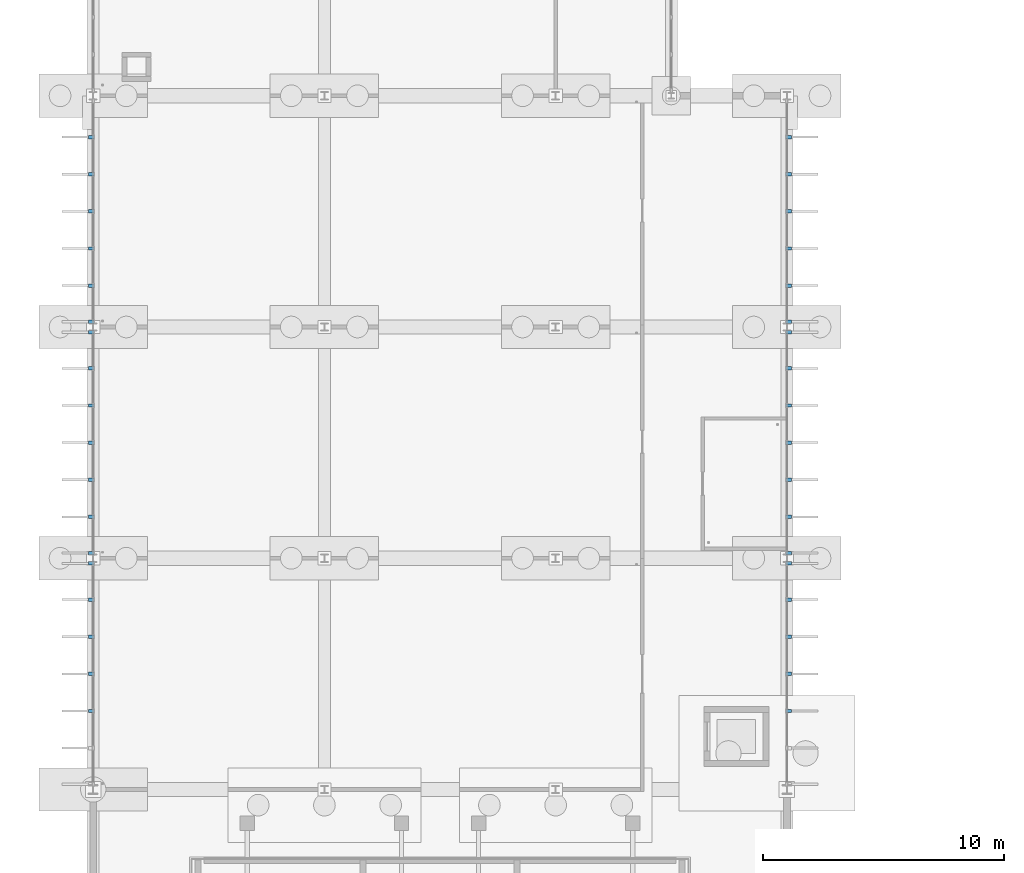
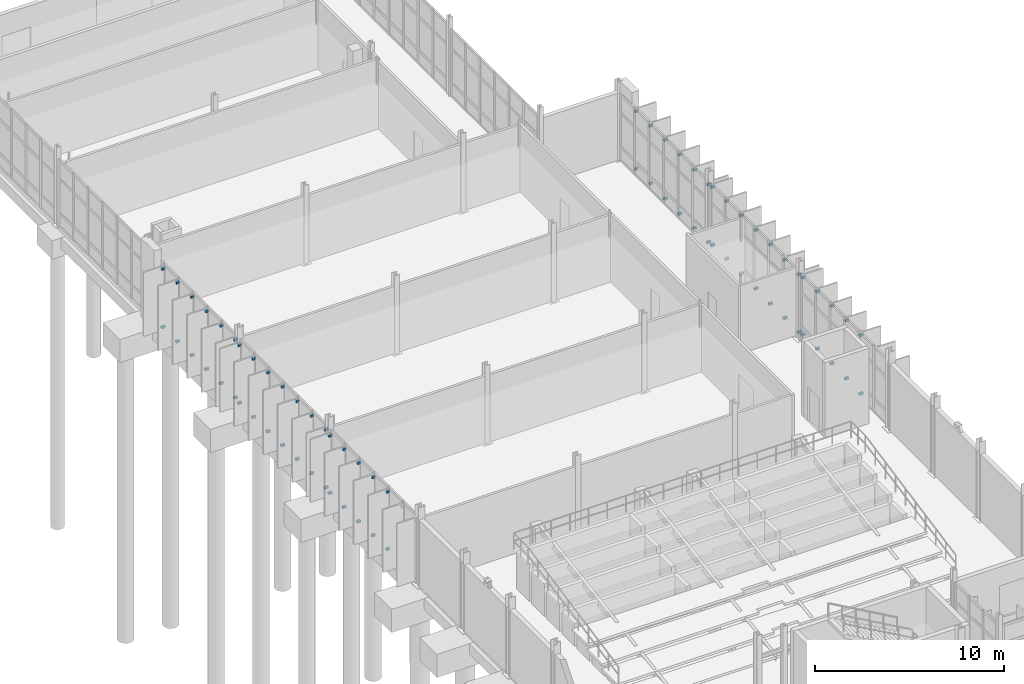
# One storey, part 100 of 111: 72 discrete accessories.
"""IFC4 building model written with IfcOpenShell, lengths in metres."""

from ifc_helpers import new_model, si_unit, direction, frame, origin, origin_2d, place, context, subcontext, project, spatial, rectangle, extrude, material, type_object, element, save


model = new_model("IFC4")

# Units and contexts
model_context = context("Model", 3, precision=1e-05, world=origin(), true_north=direction((0.0, 1.0)))
body_context = subcontext(model_context, "Body", "Model", "MODEL_VIEW")
ifc_project = project(units=[si_unit("LENGTHUNIT", "METRE"), si_unit("AREAUNIT", "SQUARE_METRE"), si_unit("VOLUMEUNIT", "CUBIC_METRE"), si_unit("PLANEANGLEUNIT", "RADIAN"), si_unit("MASSUNIT", "GRAM", prefix="KILO")], contexts=[model_context])

# Site, building, storey
site_placement = place(None, origin())
site = spatial("IfcSite", under=ifc_project, at=site_placement, CompositionType="ELEMENT")
building_placement = place(site_placement, origin())
building = spatial("IfcBuilding", under=site, at=building_placement, Name="Dunescarp Central Library", CompositionType="ELEMENT")
storey_placement = place(building_placement, origin())
storey = spatial("IfcBuildingStorey", under=building, at=storey_placement, Name="L00", CompositionType="ELEMENT", Elevation=0.0)

# Discrete accessories
ifc_material = material(Name="Stainless steel Grade 316L", Category="steel")
discrete_accessory_type = type_object("IfcDiscreteAccessoryType", Name="ARC-ACC-BRK", PredefinedType="BRACKET", material=ifc_material)
for number, where, z_axis, x_axis, name in (
    (1, (-0.080078125, 64.05810546875, 0.27392578125), (0.0, 0.0, 1.0), (-1.0, 0.0, 0.0), "Fin bracket BRK-FIN-L00-0745-B"),
    (2, (-0.080078125, 64.05810546875, 3.9921875), (0.0, 0.0, 1.0), (-1.0, 0.0, 0.0), "Fin bracket BRK-FIN-L00-0745-T"),
    (3, (-0.080078125, 65.60009765625, 0.23291015625), (0.0, 0.0, 1.0), (-1.0, 0.0, 0.0), "Fin bracket BRK-FIN-L00-0746-B"),
    (4, (-0.080078125, 65.60009765625, 3.9921875), (0.0, 0.0, 1.0), (-1.0, 0.0, 0.0), "Fin bracket BRK-FIN-L00-0746-T"),
    (5, (-0.080078125, 67.14208984375, 0.18994140625), (0.0, 0.0, 1.0), (-1.0, 0.0, 0.0), "Fin bracket BRK-FIN-L00-0747-B"),
    (6, (-0.080078125, 67.14208984375, 3.98095703125), (0.0, 0.0, 1.0), (-1.0, 0.0, 0.0), "Fin bracket BRK-FIN-L00-0747-T"),
    (7, (-0.080078125, 68.68310546875, 0.18994140625), (0.0, 0.0, 1.0), (-1.0, 0.0, 0.0), "Fin bracket BRK-FIN-L00-0748-B"),
    (8, (-0.080078125, 68.68310546875, 3.93115234375), (0.0, 0.0, 1.0), (-1.0, 0.0, 0.0), "Fin bracket BRK-FIN-L00-0748-T"),
    (9, (-0.080078125, 70.18505859375, 0.18994140625), (0.0, 0.0, 1.0), (-1.0, 0.0, 0.0), "Fin bracket BRK-FIN-L00-0749-B"),
    (10, (-0.080078125, 70.18505859375, 3.89794921875), (0.0, 0.0, 1.0), (-1.0, 0.0, 0.0), "Fin bracket BRK-FIN-L00-0749-T"),
    (11, (28.8798828125, 70.18505859375, 0.27685546875), (0.0, 0.0, 1.0), (1.0, 0.0, 0.0), "Fin bracket BRK-FIN-L00-0750-B"),
    (12, (28.8798828125, 70.18505859375, 3.9921875), (0.0, 0.0, 1.0), (1.0, 0.0, 0.0), "Fin bracket BRK-FIN-L00-0750-T"),
    (13, (28.8798828125, 68.68310546875, 0.2900390625), (0.0, 0.0, 1.0), (1.0, 0.0, 0.0), "Fin bracket BRK-FIN-L00-0751-B"),
    (14, (28.8798828125, 68.68310546875, 3.9921875), (0.0, 0.0, 1.0), (1.0, 0.0, 0.0), "Fin bracket BRK-FIN-L00-0751-T"),
    (15, (28.8798828125, 67.14208984375, 0.27392578125), (0.0, 0.0, 1.0), (1.0, 0.0, 0.0), "Fin bracket BRK-FIN-L00-0752-B"),
    (16, (28.8798828125, 67.14208984375, 3.9921875), (0.0, 0.0, 1.0), (1.0, 0.0, 0.0), "Fin bracket BRK-FIN-L00-0752-T"),
    (17, (28.8798828125, 65.60009765625, 0.23291015625), (0.0, 0.0, 1.0), (1.0, 0.0, 0.0), "Fin bracket BRK-FIN-L00-0753-B"),
    (18, (28.8798828125, 65.60009765625, 3.9921875), (0.0, 0.0, 1.0), (1.0, 0.0, 0.0), "Fin bracket BRK-FIN-L00-0753-T"),
    (19, (28.8798828125, 64.05810546875, 0.18994140625), (0.0, 0.0, 1.0), (1.0, 0.0, 0.0), "Fin bracket BRK-FIN-L00-0754-B"),
    (20, (28.8798828125, 64.05810546875, 3.98095703125), (0.0, 0.0, 1.0), (1.0, 0.0, 0.0), "Fin bracket BRK-FIN-L00-0754-T"),
    (21, (-0.080078125, 70.614990234375, 0.27685546875), (0.0, 0.0, 1.0), (-1.0, 0.0, 0.0), "Fin bracket BRK-FIN-L00-0757-B"),
    (22, (-0.080078125, 70.614990234375, 4.02490234375), (0.0, 0.0, 1.0), (-1.0, 0.0, 0.0), "Fin bracket BRK-FIN-L00-0757-T"),
    (23, (-0.080078125, 72.116943359375, 0.2900390625), (0.0, 0.0, 1.0), (-1.0, 0.0, 0.0), "Fin bracket BRK-FIN-L00-0758-B"),
    (24, (-0.080078125, 72.116943359375, 4.02490234375), (0.0, 0.0, 1.0), (-1.0, 0.0, 0.0), "Fin bracket BRK-FIN-L00-0758-T"),
    (25, (-0.080078125, 73.657958984375, 0.27392578125), (0.0, 0.0, 1.0), (-1.0, 0.0, 0.0), "Fin bracket BRK-FIN-L00-0759-B"),
    (26, (-0.080078125, 73.657958984375, 4.02490234375), (0.0, 0.0, 1.0), (-1.0, 0.0, 0.0), "Fin bracket BRK-FIN-L00-0759-T"),
    (27, (-0.080078125, 75.199951171875, 0.23291015625), (0.0, 0.0, 1.0), (-1.0, 0.0, 0.0), "Fin bracket BRK-FIN-L00-0760-B"),
    (28, (-0.080078125, 75.199951171875, 4.02490234375), (0.0, 0.0, 1.0), (-1.0, 0.0, 0.0), "Fin bracket BRK-FIN-L00-0760-T"),
    (29, (-0.080078125, 76.741943359375, 0.18994140625), (0.0, 0.0, 1.0), (-1.0, 0.0, 0.0), "Fin bracket BRK-FIN-L00-0761-B"),
    (30, (-0.080078125, 76.741943359375, 4.01416015625), (0.0, 0.0, 1.0), (-1.0, 0.0, 0.0), "Fin bracket BRK-FIN-L00-0761-T"),
    (31, (-0.080078125, 78.282958984375, 0.18994140625), (0.0, 0.0, 1.0), (-1.0, 0.0, 0.0), "Fin bracket BRK-FIN-L00-0762-B"),
    (32, (-0.080078125, 78.282958984375, 3.9638671875), (0.0, 0.0, 1.0), (-1.0, 0.0, 0.0), "Fin bracket BRK-FIN-L00-0762-T"),
    (33, (-0.080078125, 79.784912109375, 0.18994140625), (0.0, 0.0, 1.0), (-1.0, 0.0, 0.0), "Fin bracket BRK-FIN-L00-0763-B"),
    (34, (-0.080078125, 79.784912109375, 3.93115234375), (0.0, 0.0, 1.0), (-1.0, 0.0, 0.0), "Fin bracket BRK-FIN-L00-0763-T"),
    (35, (28.8798828125, 79.784912109375, 0.27685546875), (0.0, 0.0, 1.0), (1.0, 0.0, 0.0), "Fin bracket BRK-FIN-L00-0764-B"),
    (36, (28.8798828125, 79.784912109375, 4.02490234375), (0.0, 0.0, 1.0), (1.0, 0.0, 0.0), "Fin bracket BRK-FIN-L00-0764-T"),
    (37, (28.8798828125, 78.282958984375, 0.2900390625), (0.0, 0.0, 1.0), (1.0, 0.0, 0.0), "Fin bracket BRK-FIN-L00-0765-B"),
    (38, (28.8798828125, 78.282958984375, 4.02490234375), (0.0, 0.0, 1.0), (1.0, 0.0, 0.0), "Fin bracket BRK-FIN-L00-0765-T"),
    (39, (28.8798828125, 76.741943359375, 0.27392578125), (0.0, 0.0, 1.0), (1.0, 0.0, 0.0), "Fin bracket BRK-FIN-L00-0766-B"),
    (40, (28.8798828125, 76.741943359375, 4.02490234375), (0.0, 0.0, 1.0), (1.0, 0.0, 0.0), "Fin bracket BRK-FIN-L00-0766-T"),
    (41, (28.8798828125, 75.199951171875, 0.23291015625), (0.0, 0.0, 1.0), (1.0, 0.0, 0.0), "Fin bracket BRK-FIN-L00-0767-B"),
    (42, (28.8798828125, 75.199951171875, 4.02490234375), (0.0, 0.0, 1.0), (1.0, 0.0, 0.0), "Fin bracket BRK-FIN-L00-0767-T"),
    (43, (28.8798828125, 73.657958984375, 0.18994140625), (0.0, 0.0, 1.0), (1.0, 0.0, 0.0), "Fin bracket BRK-FIN-L00-0768-B"),
    (44, (28.8798828125, 73.657958984375, 4.01416015625), (0.0, 0.0, 1.0), (1.0, 0.0, 0.0), "Fin bracket BRK-FIN-L00-0768-T"),
    (45, (28.8798828125, 72.116943359375, 0.18994140625), (0.0, 0.0, 1.0), (1.0, 0.0, 0.0), "Fin bracket BRK-FIN-L00-0769-B"),
    (46, (28.8798828125, 72.116943359375, 3.9638671875), (0.0, 0.0, 1.0), (1.0, 0.0, 0.0), "Fin bracket BRK-FIN-L00-0769-T"),
    (47, (28.8798828125, 70.614990234375, 0.18994140625), (0.0, 0.0, 1.0), (1.0, 0.0, 0.0), "Fin bracket BRK-FIN-L00-0770-B"),
    (48, (28.8798828125, 70.614990234375, 3.93115234375), (0.0, 0.0, 1.0), (1.0, 0.0, 0.0), "Fin bracket BRK-FIN-L00-0770-T"),
    (49, (-0.080078125, 80.215087890625, 0.27685546875), (0.0, 0.0, 1.0), (-1.0, 0.0, 0.0), "Fin bracket BRK-FIN-L00-0771-B"),
    (50, (-0.080078125, 80.215087890625, 4.02490234375), (0.0, 0.0, 1.0), (-1.0, 0.0, 0.0), "Fin bracket BRK-FIN-L00-0771-T"),
    (51, (-0.080078125, 81.717041015625, 0.2900390625), (0.0, 0.0, 1.0), (-1.0, 0.0, 0.0), "Fin bracket BRK-FIN-L00-0772-B"),
    (52, (-0.080078125, 81.717041015625, 4.02490234375), (0.0, 0.0, 1.0), (-1.0, 0.0, 0.0), "Fin bracket BRK-FIN-L00-0772-T"),
    (53, (-0.080078125, 83.258056640625, 0.27392578125), (0.0, 0.0, 1.0), (-1.0, 0.0, 0.0), "Fin bracket BRK-FIN-L00-0773-B"),
    (54, (-0.080078125, 83.258056640625, 4.02490234375), (0.0, 0.0, 1.0), (-1.0, 0.0, 0.0), "Fin bracket BRK-FIN-L00-0773-T"),
    (55, (-0.080078125, 84.800048828125, 0.23291015625), (0.0, 0.0, 1.0), (-1.0, 0.0, 0.0), "Fin bracket BRK-FIN-L00-0774-B"),
    (56, (-0.080078125, 84.800048828125, 4.02490234375), (0.0, 0.0, 1.0), (-1.0, 0.0, 0.0), "Fin bracket BRK-FIN-L00-0774-T"),
    (57, (-0.080078125, 86.342041015625, 0.18994140625), (0.0, 0.0, 1.0), (-1.0, 0.0, 0.0), "Fin bracket BRK-FIN-L00-0775-B"),
    (58, (-0.080078125, 86.342041015625, 4.01416015625), (0.0, 0.0, 1.0), (-1.0, 0.0, 0.0), "Fin bracket BRK-FIN-L00-0775-T"),
    (59, (-0.080078125, 87.883056640625, 0.18994140625), (0.0, 0.0, 1.0), (-1.0, 0.0, 0.0), "Fin bracket BRK-FIN-L00-0776-B"),
    (60, (-0.080078125, 87.883056640625, 3.9638671875), (0.0, 0.0, 1.0), (-1.0, 0.0, 0.0), "Fin bracket BRK-FIN-L00-0776-T"),
    (61, (28.8798828125, 87.883056640625, 0.2900390625), (0.0, 0.0, 1.0), (1.0, 0.0, 0.0), "Fin bracket BRK-FIN-L00-0777-B"),
    (62, (28.8798828125, 87.883056640625, 4.02490234375), (0.0, 0.0, 1.0), (1.0, 0.0, 0.0), "Fin bracket BRK-FIN-L00-0777-T"),
    (63, (28.8798828125, 86.342041015625, 0.27392578125), (0.0, 0.0, 1.0), (1.0, 0.0, 0.0), "Fin bracket BRK-FIN-L00-0778-B"),
    (64, (28.8798828125, 86.342041015625, 4.02490234375), (0.0, 0.0, 1.0), (1.0, 0.0, 0.0), "Fin bracket BRK-FIN-L00-0778-T"),
    (65, (28.8798828125, 84.800048828125, 0.23291015625), (0.0, 0.0, 1.0), (1.0, 0.0, 0.0), "Fin bracket BRK-FIN-L00-0779-B"),
    (66, (28.8798828125, 84.800048828125, 4.02490234375), (0.0, 0.0, 1.0), (1.0, 0.0, 0.0), "Fin bracket BRK-FIN-L00-0779-T"),
    (67, (28.8798828125, 83.258056640625, 0.18994140625), (0.0, 0.0, 1.0), (1.0, 0.0, 0.0), "Fin bracket BRK-FIN-L00-0780-B"),
    (68, (28.8798828125, 83.258056640625, 4.01416015625), (0.0, 0.0, 1.0), (1.0, 0.0, 0.0), "Fin bracket BRK-FIN-L00-0780-T"),
    (69, (28.8798828125, 81.717041015625, 0.18994140625), (0.0, 0.0, 1.0), (1.0, 0.0, 0.0), "Fin bracket BRK-FIN-L00-0781-B"),
    (70, (28.8798828125, 81.717041015625, 3.9638671875), (0.0, 0.0, 1.0), (1.0, 0.0, 0.0), "Fin bracket BRK-FIN-L00-0781-T"),
    (71, (28.8798828125, 80.215087890625, 0.18994140625), (0.0, 0.0, 1.0), (1.0, 0.0, 0.0), "Fin bracket BRK-FIN-L00-0782-B"),
    (72, (28.8798828125, 80.215087890625, 3.93115234375), (0.0, 0.0, 1.0), (1.0, 0.0, 0.0), "Fin bracket BRK-FIN-L00-0782-T"),
):
    element("IfcDiscreteAccessory", number, at=place(storey_placement, frame(where, z_axis=z_axis, x_axis=x_axis)), inside=storey, type_object=discrete_accessory_type, Name=name, PredefinedType="BRACKET", context=body_context, shape_type="SweptSolid", body=[
        extrude(rectangle(XDim=0.219970703125, YDim=0.139892578125, at=origin_2d()), origin(), (0.0, 0.0, 1.0), 0.139892578125),
    ])

save(model, "model.ifc")
